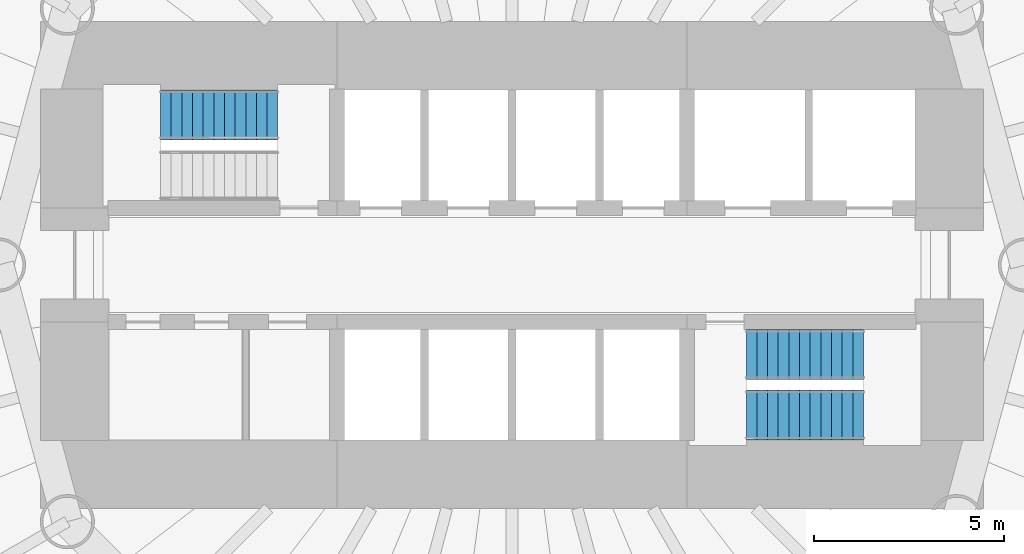
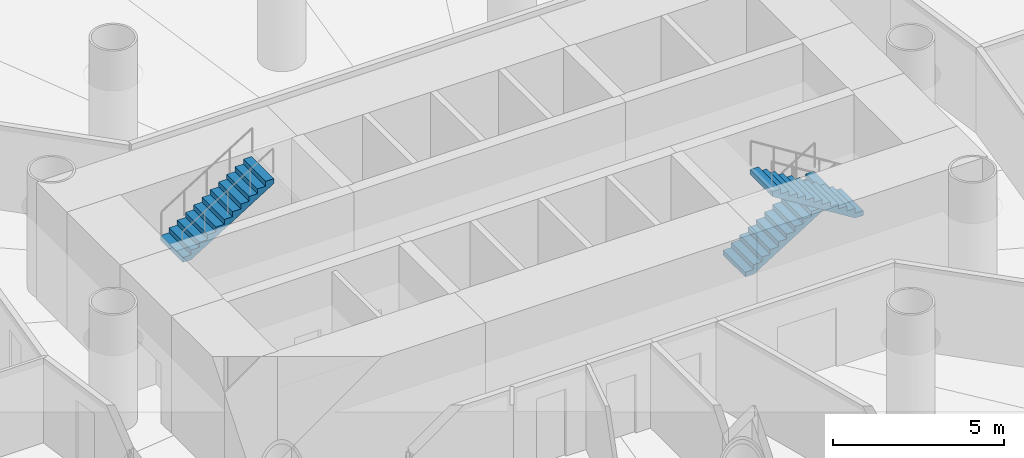
# One storey, part 12 of 16: 3 stair flights, 2 elements without a shape of their own.
"""IFC4 building model written with IfcOpenShell, lengths in metres."""

from ifc_helpers import new_model, si_unit, direction, frame, origin, place, context, subcontext, project, spatial, polyline, outline, extrude, material, type_object, element, aggregate, save


model = new_model("IFC4")

# Units and contexts
model_context = context("Model", 3, precision=1e-05, world=origin(), true_north=direction((0.0, 1.0)))
body_context = subcontext(model_context, "Body", "Model", "MODEL_VIEW")
ifc_project = project(units=[si_unit("LENGTHUNIT", "METRE"), si_unit("AREAUNIT", "SQUARE_METRE"), si_unit("VOLUMEUNIT", "CUBIC_METRE"), si_unit("PLANEANGLEUNIT", "RADIAN"), si_unit("MASSUNIT", "GRAM", prefix="KILO")], contexts=[model_context])

# Site, building, storey
site_placement = place(None, origin())
site = spatial("IfcSite", under=ifc_project, at=site_placement, CompositionType="ELEMENT")
building_placement = place(site_placement, origin())
building = spatial("IfcBuilding", under=site, at=building_placement, Name="Qaws Media Tower", CompositionType="ELEMENT")
storey_placement = place(building_placement, frame((0.0, 0.0, 55.39990234375)))
storey = spatial("IfcBuildingStorey", under=building, at=storey_placement, Name="L11", CompositionType="ELEMENT", Elevation=55.39990234375)

# Stair, stair flight
ifc_material_1 = material(Name="Concrete C40/50", Category="concrete")
stair_type = type_object("IfcStairType", Name="Exit stair", PredefinedType="HALF_TURN_STAIR", material=ifc_material_1)
stair_1_placement = place(storey_placement, origin())
stair_1 = element("IfcStair", 1, at=stair_1_placement, inside=storey, type_object=stair_type, Name="S1 exit stair L11", PredefinedType="HALF_TURN_STAIR")
ifc_material_2 = material(Name="Concrete C40/50", Category="concrete")
stair_flight_type = type_object("IfcStairFlightType", Name="Stair flight 1310", PredefinedType="STRAIGHT", material=ifc_material_2)
stair_flight_1_placement = place(storey_placement, frame((50.760009765625, 53.945068359375, 2.10009765625), z_axis=(0.0, 0.0, 1.0), x_axis=(1.0, 0.0, 0.0)))
stair_flight_1 = element("IfcStairFlight", 2, at=stair_flight_1_placement, type_object=stair_flight_type, Name="S1 flight 2", NumberOfRisers=12, NumberOfTreads=11, PredefinedType="STRAIGHT", RiserHeight=0.175, TreadLength=0.28, context=body_context, shape_type="SweptSolid", body=[
    extrude(outline(polyline([(0.0, 0.0), (0.0, 0.175048828125), (0.280029296875, 0.175048828125), (0.280029296875, 0.35009765625), (0.56005859375, 0.35009765625), (0.56005859375, 0.52490234375), (0.840087890625, 0.52490234375), (0.840087890625, 0.699951171875), (1.1201171875, 0.699951171875), (1.1201171875, 0.875), (1.39990234375, 0.875), (1.39990234375, 1.050048828125), (1.679931640625, 1.050048828125), (1.679931640625, 1.22509765625), (1.9599609375, 1.22509765625), (1.9599609375, 1.39990234375), (2.239990234375, 1.39990234375), (2.239990234375, 1.574951171875), (2.52001953125, 1.574951171875), (2.52001953125, 1.75), (2.800048828125, 1.75), (2.800048828125, 1.925048828125), (3.080078125, 1.925048828125), (3.080078125, 2.10009765625), (3.080078125, 1.748291015625), (0.28271484375, 0.0), (0.0, 0.0)])), frame((0.0, 0.655029296875, 0.0), z_axis=(0.0, -1.0, 0.0), x_axis=(1.0, 0.0, 0.0)), (0.0, 0.0, 1.0), 1.31005859375),
])
aggregate(stair_1, [stair_flight_1])

# Stair, stair flights
stair_2_placement = place(storey_placement, origin())
stair_2 = element("IfcStair", 3, at=stair_2_placement, inside=storey, type_object=stair_type, Name="S2 exit stair L11", PredefinedType="HALF_TURN_STAIR")
stair_flight_2_placement = place(storey_placement, frame((66.159912109375, 47.64501953125, 0.0), z_axis=(0.0, 0.0, 1.0), x_axis=(1.0, 0.0, 0.0)))
stair_flight_2 = element("IfcStairFlight", 4, at=stair_flight_2_placement, type_object=stair_flight_type, Name="S2 flight 1", NumberOfRisers=12, NumberOfTreads=11, PredefinedType="STRAIGHT", RiserHeight=0.175, TreadLength=0.28, context=body_context, shape_type="SweptSolid", body=[
    extrude(outline(polyline([(0.0, 0.0), (0.0, 0.175048828125), (0.280029296875, 0.175048828125), (0.280029296875, 0.35009765625), (0.56005859375, 0.35009765625), (0.56005859375, 0.52490234375), (0.840087890625, 0.52490234375), (0.840087890625, 0.699951171875), (1.1201171875, 0.699951171875), (1.1201171875, 0.875), (1.39990234375, 0.875), (1.39990234375, 1.050048828125), (1.679931640625, 1.050048828125), (1.679931640625, 1.22509765625), (1.9599609375, 1.22509765625), (1.9599609375, 1.39990234375), (2.239990234375, 1.39990234375), (2.239990234375, 1.574951171875), (2.52001953125, 1.574951171875), (2.52001953125, 1.75), (2.800048828125, 1.75), (2.800048828125, 1.925048828125), (3.080078125, 1.925048828125), (3.080078125, 2.10009765625), (3.080078125, 1.748291015625), (0.28271484375, 0.0), (0.0, 0.0)])), frame((0.0, 0.655029296875, 0.0), z_axis=(0.0, -1.0, 0.0), x_axis=(1.0, 0.0, 0.0)), (0.0, 0.0, 1.0), 1.31005859375),
])
stair_flight_3_placement = place(storey_placement, frame((69.239990234375, 46.054931640625, 2.10009765625), z_axis=(0.0, 0.0, 1.0), x_axis=(-1.0, 0.0, 0.0)))
stair_flight_3 = element("IfcStairFlight", 5, at=stair_flight_3_placement, type_object=stair_flight_type, Name="S2 flight 2", NumberOfRisers=12, NumberOfTreads=11, PredefinedType="STRAIGHT", RiserHeight=0.175, TreadLength=0.28, context=body_context, shape_type="SweptSolid", body=[
    extrude(outline(polyline([(0.0, 0.0), (0.0, 0.175048828125), (0.280029296875, 0.175048828125), (0.280029296875, 0.35009765625), (0.56005859375, 0.35009765625), (0.56005859375, 0.52490234375), (0.840087890625, 0.52490234375), (0.840087890625, 0.699951171875), (1.1201171875, 0.699951171875), (1.1201171875, 0.875), (1.39990234375, 0.875), (1.39990234375, 1.050048828125), (1.679931640625, 1.050048828125), (1.679931640625, 1.22509765625), (1.9599609375, 1.22509765625), (1.9599609375, 1.39990234375), (2.239990234375, 1.39990234375), (2.239990234375, 1.574951171875), (2.52001953125, 1.574951171875), (2.52001953125, 1.75), (2.800048828125, 1.75), (2.800048828125, 1.925048828125), (3.080078125, 1.925048828125), (3.080078125, 2.10009765625), (3.080078125, 1.748291015625), (0.28271484375, 0.0), (0.0, 0.0)])), frame((0.0, 0.655029296875, 0.0), z_axis=(0.0, -1.0, 0.0), x_axis=(1.0, 0.0, 0.0)), (0.0, 0.0, 1.0), 1.31005859375),
])
aggregate(stair_2, [stair_flight_2, stair_flight_3])

save(model, "model.ifc")
